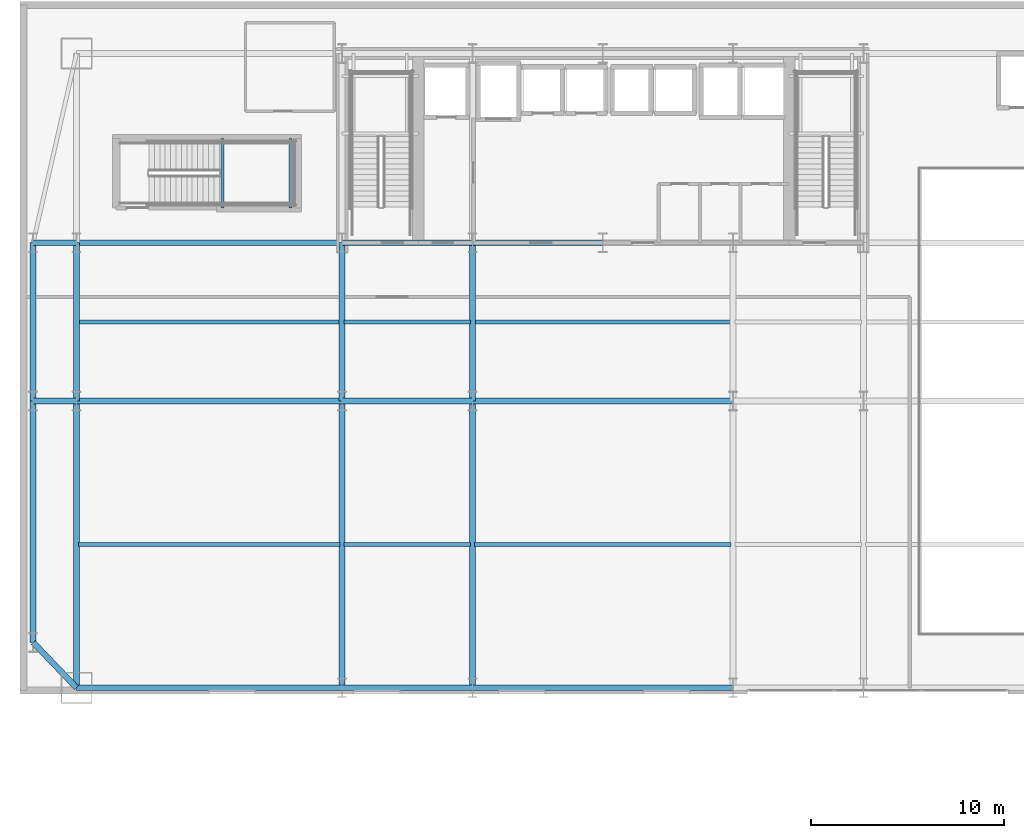
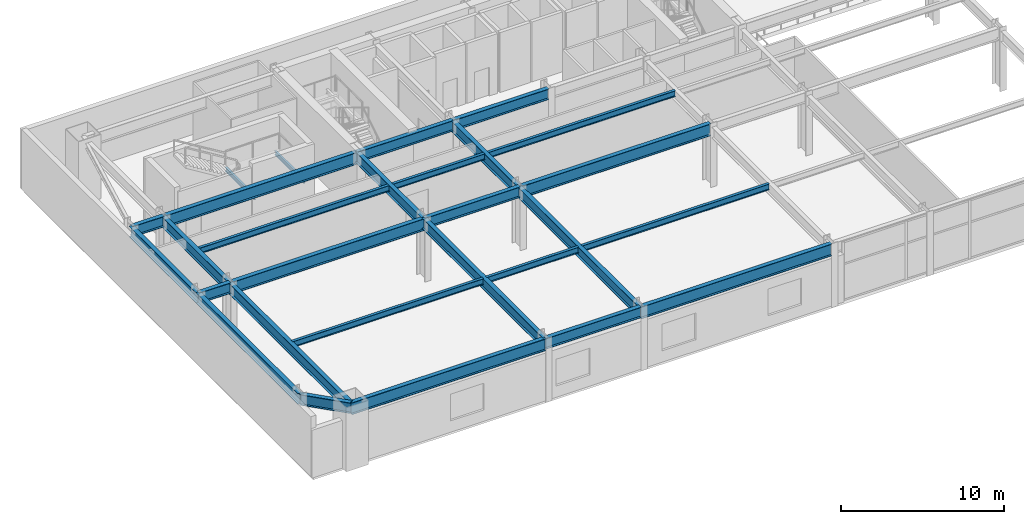
# One storey, part 3 of 30: 28 beams.
"""IFC4 building model written with IfcOpenShell, lengths in metres."""

from ifc_helpers import new_model, si_unit, direction, frame, origin, origin_2d, place, context, subcontext, project, spatial, i_section, extrude, material, material_profile, profile_set, type_object, element, save


model = new_model("IFC4")

# Units and contexts
model_context = context("Model", 3, precision=1e-05, world=origin(), true_north=direction((0.0, 1.0)))
body_context = subcontext(model_context, "Body", "Model", "MODEL_VIEW")
ifc_project = project(units=[si_unit("LENGTHUNIT", "METRE"), si_unit("AREAUNIT", "SQUARE_METRE"), si_unit("VOLUMEUNIT", "CUBIC_METRE"), si_unit("PLANEANGLEUNIT", "RADIAN"), si_unit("MASSUNIT", "GRAM", prefix="KILO")], contexts=[model_context])

# Site, building, storey
site_placement = place(None, origin())
site = spatial("IfcSite", under=ifc_project, at=site_placement, CompositionType="ELEMENT")
building_placement = place(site_placement, origin())
building = spatial("IfcBuilding", under=site, at=building_placement, Name="Haevon Station Towers", CompositionType="ELEMENT")
storey_placement = place(building_placement, frame((0.0, 0.0, 15.60009765625)))
storey = spatial("IfcBuildingStorey", under=building, at=storey_placement, Name="L03", CompositionType="ELEMENT", Elevation=15.60009765625)

# Beams
ifc_material = material(Name="Steel S355", Category="steel")
ifc_material_profile_1 = material_profile(ifc_material, i_section(OverallWidth=0.199951171875, OverallDepth=0.449951171875, WebThickness=0.009033203125, FlangeThickness=0.013916015625, at=origin_2d()), Name="H-450x200x9x14")
ifc_profile_set_1 = profile_set([ifc_material_profile_1], Name="Steel S355")
beam_type_1 = type_object("IfcBeamType", Name="BM-J450", PredefinedType="JOIST", material=ifc_profile_set_1)
beam_1_placement = place(storey_placement, frame((10.360107421875, 22.574951171875, 4.27490234375), z_axis=(1.0, 0.0, 0.0), x_axis=(0.0, 1.0, 0.0)))
element("IfcBeam", 1, at=beam_1_placement, inside=storey, type_object=beam_type_1, Name="BM-T1J-L03-01-01", PredefinedType="JOIST", context=body_context, shape_type="SweptSolid", body=[
    extrude(i_section(OverallWidth=0.199951171875, OverallDepth=0.449951171875, WebThickness=0.009033203125, FlangeThickness=0.013916015625, at=origin_2d()), origin(), (0.0, 0.0, 1.0), 13.52978515625),
])
beam_2_placement = place(storey_placement, frame((24.110107421875, 22.574951171875, 4.27490234375), z_axis=(1.0, 0.0, 0.0), x_axis=(0.0, 1.0, 0.0)))
element("IfcBeam", 2, at=beam_2_placement, inside=storey, type_object=beam_type_1, Name="BM-T1J-L03-01-02", PredefinedType="JOIST", context=body_context, shape_type="SweptSolid", body=[
    extrude(i_section(OverallWidth=0.199951171875, OverallDepth=0.449951171875, WebThickness=0.009033203125, FlangeThickness=0.013916015625, at=origin_2d()), origin(), (0.0, 0.0, 1.0), 6.52978515625),
])
beam_3_placement = place(storey_placement, frame((30.860107421875, 22.574951171875, 4.27490234375), z_axis=(1.0, 0.0, 0.0), x_axis=(0.0, 1.0, 0.0)))
element("IfcBeam", 3, at=beam_3_placement, inside=storey, type_object=beam_type_1, Name="BM-T1J-L03-01-03", PredefinedType="JOIST", context=body_context, shape_type="SweptSolid", body=[
    extrude(i_section(OverallWidth=0.199951171875, OverallDepth=0.449951171875, WebThickness=0.009033203125, FlangeThickness=0.013916015625, at=origin_2d()), origin(), (0.0, 0.0, 1.0), 13.27978515625),
])
beam_4_placement = place(storey_placement, frame((10.360107421875, 34.10009765625, 4.27490234375), z_axis=(1.0, 0.0, 0.0), x_axis=(0.0, 1.0, 0.0)))
element("IfcBeam", 4, at=beam_4_placement, inside=storey, type_object=beam_type_1, Name="BM-T1J-L03-02-01", PredefinedType="JOIST", context=body_context, shape_type="SweptSolid", body=[
    extrude(i_section(OverallWidth=0.199951171875, OverallDepth=0.449951171875, WebThickness=0.009033203125, FlangeThickness=0.013916015625, at=origin_2d()), origin(), (0.0, 0.0, 1.0), 13.52978515625),
])
beam_5_placement = place(storey_placement, frame((24.110107421875, 34.10009765625, 4.27490234375), z_axis=(1.0, 0.0, 0.0), x_axis=(0.0, 1.0, 0.0)))
element("IfcBeam", 5, at=beam_5_placement, inside=storey, type_object=beam_type_1, Name="BM-T1J-L03-02-02", PredefinedType="JOIST", context=body_context, shape_type="SweptSolid", body=[
    extrude(i_section(OverallWidth=0.199951171875, OverallDepth=0.449951171875, WebThickness=0.009033203125, FlangeThickness=0.013916015625, at=origin_2d()), origin(), (0.0, 0.0, 1.0), 6.52978515625),
])
beam_6_placement = place(storey_placement, frame((30.860107421875, 34.10009765625, 4.27490234375), z_axis=(1.0, 0.0, 0.0), x_axis=(0.0, 1.0, 0.0)))
element("IfcBeam", 6, at=beam_6_placement, inside=storey, type_object=beam_type_1, Name="BM-T1J-L03-02-03", PredefinedType="JOIST", context=body_context, shape_type="SweptSolid", body=[
    extrude(i_section(OverallWidth=0.199951171875, OverallDepth=0.449951171875, WebThickness=0.009033203125, FlangeThickness=0.013916015625, at=origin_2d()), origin(), (0.0, 0.0, 1.0), 13.27978515625),
])
ifc_material_profile_2 = material_profile(ifc_material, i_section(OverallWidth=0.14990234375, OverallDepth=0.300048828125, WebThickness=0.006591796875, FlangeThickness=0.009033203125, at=origin_2d()), Name="H-300x150x6.5x9")
ifc_profile_set_2 = profile_set([ifc_material_profile_2], Name="Steel S355")
beam_type_2 = type_object("IfcBeamType", Name="BM-LIN300", PredefinedType="LINTEL", material=ifc_profile_set_2)
for number, where, z_axis, x_axis, name in (
    (7, (17.81396484375, 40.0, 2.0498046875), (0.0, 1.0, 0.0), (-1.0, 0.0, 0.0), "BM-ST5L-L03-1-W"),
    (8, (21.320068359375, 40.0, 2.0498046875), (0.0, 1.0, 0.0), (-1.0, 0.0, 0.0), "BM-ST5L-L03-1-E"),
):
    element("IfcBeam", number, at=place(storey_placement, frame(where, z_axis=z_axis, x_axis=x_axis)), inside=storey, type_object=beam_type_2, Name=name, PredefinedType="LINTEL", context=body_context, shape_type="SweptSolid", body=[
        extrude(i_section(OverallWidth=0.14990234375, OverallDepth=0.300048828125, WebThickness=0.006591796875, FlangeThickness=0.009033203125, at=origin_2d()), origin(), (0.0, 0.0, 1.0), 3.60009765625),
    ])
ifc_material_profile_3 = material_profile(ifc_material, i_section(OverallWidth=0.300048828125, OverallDepth=0.800048828125, WebThickness=0.013916015625, FlangeThickness=0.02587890625, at=origin_2d()), Name="H-800x300x14x26")
ifc_profile_set_3 = profile_set([ifc_material_profile_3], Name="Steel S355")
beam_type_3 = type_object("IfcBeamType", Name="BM-PG800", PredefinedType="BEAM", material=ifc_profile_set_3)
for number, where, z_axis, x_axis, name in (
    (9, (24.0, 15.14990234375, 4.099853515625), (1.0, 0.0, 0.0), (0.0, 1.0, 0.0), "BM-T1X-L03-01-02"),
    (10, (24.0, 30.0, 4.099853515625), (1.0, 0.0, 0.0), (0.0, 1.0, 0.0), "BM-T1X-L03-02-02"),
    (11, (24.0, 38.199951171875, 4.099853515625), (1.0, 0.0, 0.0), (0.0, 1.0, 0.0), "BM-T1X-L03-03-02"),
    (12, (30.75, 38.199951171875, 4.099853515625), (1.0, 0.0, 0.0), (0.0, 1.0, 0.0), "BM-T1X-L03-03-03"),
):
    element("IfcBeam", number, at=place(storey_placement, frame(where, z_axis=z_axis, x_axis=x_axis)), inside=storey, type_object=beam_type_3, Name=name, PredefinedType="BEAM", context=body_context, shape_type="SweptSolid", body=[
        extrude(i_section(OverallWidth=0.300048828125, OverallDepth=0.800048828125, WebThickness=0.013916015625, FlangeThickness=0.02587890625, at=origin_2d()), origin(), (0.0, 0.0, 1.0), 6.75),
    ])
beam_7_placement = place(storey_placement, frame((10.25, 15.14990234375, 4.099853515625), z_axis=(0.0, 1.0, 0.0), x_axis=(-1.0, 0.0, 0.0)))
element("IfcBeam", 13, at=beam_7_placement, inside=storey, type_object=beam_type_3, Name="BM-T1Y-L03-01-01", PredefinedType="BEAM", context=body_context, shape_type="SweptSolid", body=[
    extrude(i_section(OverallWidth=0.300048828125, OverallDepth=0.800048828125, WebThickness=0.013916015625, FlangeThickness=0.02587890625, at=origin_2d()), origin(), (0.0, 0.0, 1.0), 14.85009765625),
])
beam_8_placement = place(storey_placement, frame((10.25, 30.0, 4.099853515625), z_axis=(0.0, 1.0, 0.0), x_axis=(-1.0, 0.0, 0.0)))
element("IfcBeam", 14, at=beam_8_placement, inside=storey, type_object=beam_type_3, Name="BM-T1Y-L03-01-02", PredefinedType="BEAM", context=body_context, shape_type="SweptSolid", body=[
    extrude(i_section(OverallWidth=0.300048828125, OverallDepth=0.800048828125, WebThickness=0.013916015625, FlangeThickness=0.02587890625, at=origin_2d()), origin(), (0.0, 0.0, 1.0), 8.199951171875),
])
beam_9_placement = place(storey_placement, frame((24.0, 15.14990234375, 4.099853515625), z_axis=(0.0, 1.0, 0.0), x_axis=(-1.0, 0.0, 0.0)))
element("IfcBeam", 15, at=beam_9_placement, inside=storey, type_object=beam_type_3, Name="BM-T1Y-L03-02-01", PredefinedType="BEAM", context=body_context, shape_type="SweptSolid", body=[
    extrude(i_section(OverallWidth=0.300048828125, OverallDepth=0.800048828125, WebThickness=0.013916015625, FlangeThickness=0.02587890625, at=origin_2d()), origin(), (0.0, 0.0, 1.0), 14.85009765625),
])
beam_10_placement = place(storey_placement, frame((24.0, 30.0, 4.099853515625), z_axis=(0.0, 1.0, 0.0), x_axis=(-1.0, 0.0, 0.0)))
element("IfcBeam", 16, at=beam_10_placement, inside=storey, type_object=beam_type_3, Name="BM-T1Y-L03-02-02", PredefinedType="BEAM", context=body_context, shape_type="SweptSolid", body=[
    extrude(i_section(OverallWidth=0.300048828125, OverallDepth=0.800048828125, WebThickness=0.013916015625, FlangeThickness=0.02587890625, at=origin_2d()), origin(), (0.0, 0.0, 1.0), 8.199951171875),
])
beam_11_placement = place(storey_placement, frame((30.75, 15.14990234375, 4.099853515625), z_axis=(0.0, 1.0, 0.0), x_axis=(-1.0, 0.0, 0.0)))
element("IfcBeam", 17, at=beam_11_placement, inside=storey, type_object=beam_type_3, Name="BM-T1Y-L03-03-01", PredefinedType="BEAM", context=body_context, shape_type="SweptSolid", body=[
    extrude(i_section(OverallWidth=0.300048828125, OverallDepth=0.800048828125, WebThickness=0.013916015625, FlangeThickness=0.02587890625, at=origin_2d()), origin(), (0.0, 0.0, 1.0), 14.85009765625),
])
beam_12_placement = place(storey_placement, frame((30.75, 30.0, 4.099853515625), z_axis=(0.0, 1.0, 0.0), x_axis=(-1.0, 0.0, 0.0)))
element("IfcBeam", 18, at=beam_12_placement, inside=storey, type_object=beam_type_3, Name="BM-T1Y-L03-03-02", PredefinedType="BEAM", context=body_context, shape_type="SweptSolid", body=[
    extrude(i_section(OverallWidth=0.300048828125, OverallDepth=0.800048828125, WebThickness=0.013916015625, FlangeThickness=0.02587890625, at=origin_2d()), origin(), (0.0, 0.0, 1.0), 8.199951171875),
])
beam_13_placement = place(storey_placement, frame((8.0, 17.5, 4.099853515625), z_axis=(0.691556505419, -0.722322365577, 0.0), x_axis=(0.722322365577, 0.691556505419, 0.0)))
element("IfcBeam", 19, at=beam_13_placement, inside=storey, type_object=beam_type_3, Name="BM-PODW-L03-1", PredefinedType="BEAM", context=body_context, shape_type="SweptSolid", body=[
    extrude(i_section(OverallWidth=0.300048828125, OverallDepth=0.800048828125, WebThickness=0.013916015625, FlangeThickness=0.02587890625, at=origin_2d()), origin(), (0.0, 0.0, 1.0), 3.25341796875),
])
for number, where, z_axis, x_axis, name in (
    (20, (8.0, 30.0, 4.099853515625), (1.0, 0.0, 0.0), (0.0, 1.0, 0.0), "BM-PODW-L03-2"),
    (21, (8.0, 38.199951171875, 4.099853515625), (1.0, 0.0, 0.0), (0.0, 1.0, 0.0), "BM-PODW-L03-3"),
):
    element("IfcBeam", number, at=place(storey_placement, frame(where, z_axis=z_axis, x_axis=x_axis)), inside=storey, type_object=beam_type_3, Name=name, PredefinedType="BEAM", context=body_context, shape_type="SweptSolid", body=[
        extrude(i_section(OverallWidth=0.300048828125, OverallDepth=0.800048828125, WebThickness=0.013916015625, FlangeThickness=0.02587890625, at=origin_2d()), origin(), (0.0, 0.0, 1.0), 2.25),
    ])
beam_14_placement = place(storey_placement, frame((8.0, 17.5, 4.099853515625), z_axis=(0.0, 1.0, 0.0), x_axis=(-1.0, 0.0, 0.0)))
element("IfcBeam", 22, at=beam_14_placement, inside=storey, type_object=beam_type_3, Name="BM-PODNS-L03-W1", PredefinedType="BEAM", context=body_context, shape_type="SweptSolid", body=[
    extrude(i_section(OverallWidth=0.300048828125, OverallDepth=0.800048828125, WebThickness=0.013916015625, FlangeThickness=0.02587890625, at=origin_2d()), origin(), (0.0, 0.0, 1.0), 12.5),
])
beam_15_placement = place(storey_placement, frame((8.0, 30.0, 4.099853515625), z_axis=(0.0, 1.0, 0.0), x_axis=(-1.0, 0.0, 0.0)))
element("IfcBeam", 23, at=beam_15_placement, inside=storey, type_object=beam_type_3, Name="BM-PODNS-L03-W2", PredefinedType="BEAM", context=body_context, shape_type="SweptSolid", body=[
    extrude(i_section(OverallWidth=0.300048828125, OverallDepth=0.800048828125, WebThickness=0.013916015625, FlangeThickness=0.02587890625, at=origin_2d()), origin(), (0.0, 0.0, 1.0), 8.199951171875),
])
ifc_material_profile_4 = material_profile(ifc_material, i_section(OverallWidth=0.300048828125, OverallDepth=0.89990234375, WebThickness=0.01611328125, FlangeThickness=0.028076171875, at=origin_2d()), Name="H-900x300x16x28")
ifc_profile_set_4 = profile_set([ifc_material_profile_4], Name="Steel S355")
beam_type_4 = type_object("IfcBeamType", Name="BM-PG900", PredefinedType="BEAM", material=ifc_profile_set_4)
beam_16_placement = place(storey_placement, frame((10.25, 15.14990234375, 4.0498046875), z_axis=(1.0, 0.0, 0.0), x_axis=(0.0, 1.0, 0.0)))
element("IfcBeam", 24, at=beam_16_placement, inside=storey, type_object=beam_type_4, Name="BM-T1X-L03-01-01", PredefinedType="BEAM", context=body_context, shape_type="SweptSolid", body=[
    extrude(i_section(OverallWidth=0.300048828125, OverallDepth=0.89990234375, WebThickness=0.01611328125, FlangeThickness=0.028076171875, at=origin_2d()), origin(), (0.0, 0.0, 1.0), 13.75),
])
beam_17_placement = place(storey_placement, frame((30.75, 15.14990234375, 4.0498046875), z_axis=(1.0, 0.0, 0.0), x_axis=(0.0, 1.0, 0.0)))
element("IfcBeam", 25, at=beam_17_placement, inside=storey, type_object=beam_type_4, Name="BM-T1X-L03-01-03", PredefinedType="BEAM", context=body_context, shape_type="SweptSolid", body=[
    extrude(i_section(OverallWidth=0.300048828125, OverallDepth=0.89990234375, WebThickness=0.01611328125, FlangeThickness=0.028076171875, at=origin_2d()), origin(), (0.0, 0.0, 1.0), 13.5),
])
beam_18_placement = place(storey_placement, frame((10.25, 30.0, 4.0498046875), z_axis=(1.0, 0.0, 0.0), x_axis=(0.0, 1.0, 0.0)))
element("IfcBeam", 26, at=beam_18_placement, inside=storey, type_object=beam_type_4, Name="BM-T1X-L03-02-01", PredefinedType="BEAM", context=body_context, shape_type="SweptSolid", body=[
    extrude(i_section(OverallWidth=0.300048828125, OverallDepth=0.89990234375, WebThickness=0.01611328125, FlangeThickness=0.028076171875, at=origin_2d()), origin(), (0.0, 0.0, 1.0), 13.75),
])
beam_19_placement = place(storey_placement, frame((30.75, 30.0, 4.0498046875), z_axis=(1.0, 0.0, 0.0), x_axis=(0.0, 1.0, 0.0)))
element("IfcBeam", 27, at=beam_19_placement, inside=storey, type_object=beam_type_4, Name="BM-T1X-L03-02-03", PredefinedType="BEAM", context=body_context, shape_type="SweptSolid", body=[
    extrude(i_section(OverallWidth=0.300048828125, OverallDepth=0.89990234375, WebThickness=0.01611328125, FlangeThickness=0.028076171875, at=origin_2d()), origin(), (0.0, 0.0, 1.0), 13.5),
])
beam_20_placement = place(storey_placement, frame((10.25, 38.199951171875, 4.0498046875), z_axis=(1.0, 0.0, 0.0), x_axis=(0.0, 1.0, 0.0)))
element("IfcBeam", 28, at=beam_20_placement, inside=storey, type_object=beam_type_4, Name="BM-T1X-L03-03-01", PredefinedType="BEAM", context=body_context, shape_type="SweptSolid", body=[
    extrude(i_section(OverallWidth=0.300048828125, OverallDepth=0.89990234375, WebThickness=0.01611328125, FlangeThickness=0.028076171875, at=origin_2d()), origin(), (0.0, 0.0, 1.0), 13.75),
])

save(model, "model.ifc")
